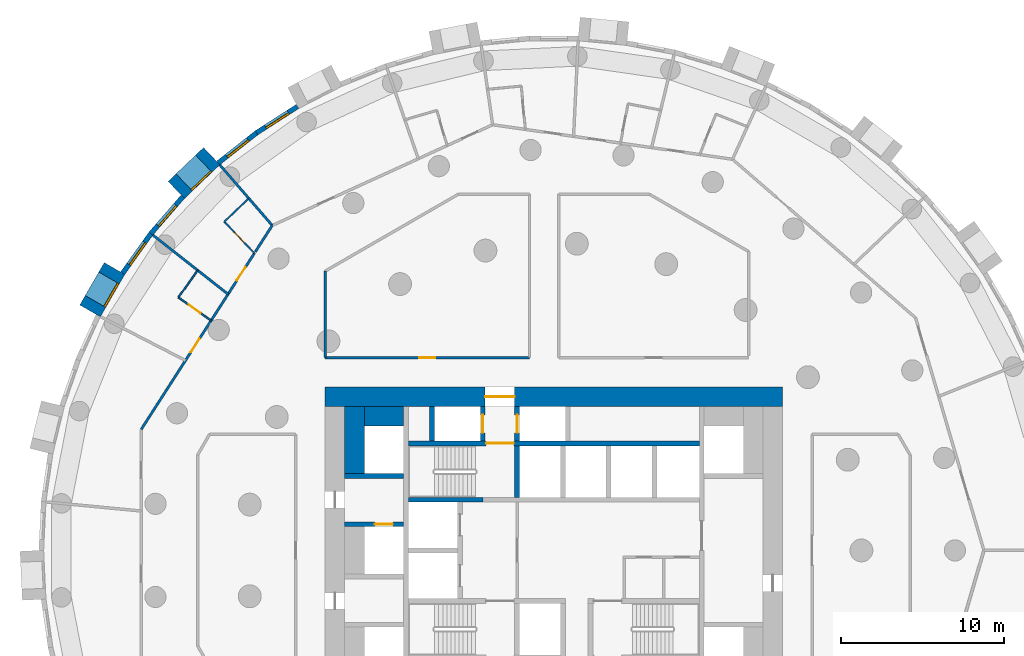
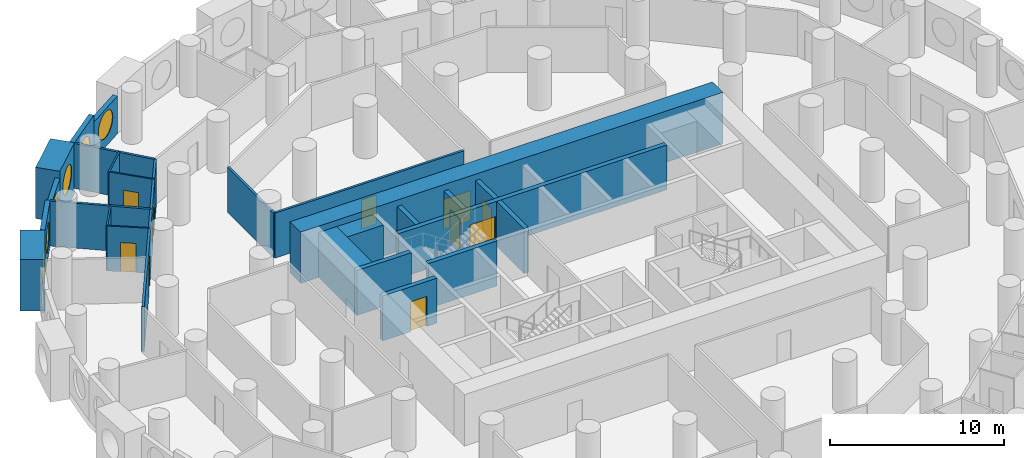
# One storey, part 7 of 11: 27 walls, 10 doors, 6 windows, 16 openings.
"""IFC4 building model written with IfcOpenShell, lengths in metres."""

from ifc_helpers import new_model, si_unit, direction, frame, frame_2d, origin, origin_2d, place, context, subcontext, project, spatial, rectangle, circle, extrude, material, layer, layer_set, type_object, element, fill, save


model = new_model("IFC4")

# Units and contexts
model_context = context("Model", 3, precision=1e-05, world=origin(), true_north=direction((0.0, 1.0)))
body_context = subcontext(model_context, "Body", "Model", "MODEL_VIEW")
ifc_project = project(units=[si_unit("LENGTHUNIT", "METRE"), si_unit("AREAUNIT", "SQUARE_METRE"), si_unit("VOLUMEUNIT", "CUBIC_METRE"), si_unit("PLANEANGLEUNIT", "RADIAN"), si_unit("MASSUNIT", "GRAM", prefix="KILO")], contexts=[model_context])

# Site, building, storey
site_placement = place(None, origin())
site = spatial("IfcSite", under=ifc_project, at=site_placement, CompositionType="ELEMENT")
building_placement = place(site_placement, origin())
building = spatial("IfcBuilding", under=site, at=building_placement, Name="Tracery Tower", CompositionType="ELEMENT")
storey_placement = place(building_placement, frame((0.0, 0.0, 96.60009765625)))
storey = spatial("IfcBuildingStorey", under=building, at=storey_placement, Name="L24", CompositionType="ELEMENT", Elevation=96.60009765625)

# Walls
ifc_material_1 = material(Name="Concrete C60/75", Category="concrete")
ifc_layer_1 = layer(ifc_material_1, 1.199951171875)
ifc_layer_set_1 = layer_set([ifc_layer_1], Name="Core strip wall 1200 C60")
wall_type_1 = type_object("IfcWallType", Name="Core strip wall 1200 C60", PredefinedType="SOLIDWALL", material=ifc_layer_set_1)
wall_1_placement = place(storey_placement, frame((-12.199951171875, 4.699951171875, 0.0), z_axis=(0.0, 0.0, 1.0), x_axis=(0.0, 1.0, 0.0)))
element("IfcWall", 1, at=wall_1_placement, inside=storey, type_object=wall_type_1, Name="L24 wing strip -1 4.55", PredefinedType="SOLIDWALL", context=body_context, shape_type="SweptSolid", body=[
    extrude(rectangle(XDim=4.10009765625, YDim=1.199951171875, at=frame_2d((2.050048828125, 0.0))), origin(), (0.0, 0.0, 1.0), 3.14990234375),
])
wall_2_placement = place(storey_placement, frame((-11.60009765625, 8.199951171875, 0.0), z_axis=(0.0, 0.0, 1.0), x_axis=(1.0, 0.0, 0.0)))
element("IfcWall", 2, at=wall_2_placement, inside=storey, type_object=wall_type_1, Name="L24 wing corner -1 +8.2", PredefinedType="SOLIDWALL", context=body_context, shape_type="SweptSolid", body=[
    extrude(rectangle(XDim=2.400146484375, YDim=1.199951171875, at=frame_2d((1.2001953125, 0.0))), origin(), (0.0, 0.0, 1.0), 3.14990234375),
])

# Wall, opening, door
ifc_material_2 = material(Name="Concrete C60/75", Category="concrete")
ifc_layer_2 = layer(ifc_material_2, 1.199951171875)
ifc_layer_set_2 = layer_set([ifc_layer_2], Name="Core wall 1200 C60")
wall_type_2 = type_object("IfcWallType", Name="Core wall 1200 C60", PredefinedType="SOLIDWALL", material=ifc_layer_set_2)
wall_3_placement = place(storey_placement, frame((-14.0, 9.39990234375, 0.0), z_axis=(0.0, 0.0, 1.0), x_axis=(1.0, 0.0, 0.0)))
wall_3 = element("IfcWall", 3, at=wall_3_placement, inside=storey, type_object=wall_type_2, Name="L24 outer N", PredefinedType="SOLIDWALL", context=body_context, shape_type="SweptSolid", body=[
    extrude(rectangle(XDim=28.0, YDim=1.199951171875, at=frame_2d((14.0, 0.0))), origin(), (0.0, 0.0, 1.0), 3.599853515625),
])
opening_1_placement = place(wall_3_placement, frame((9.800048828125, 0.0, 0.0)))
opening_1 = element("IfcOpeningElement", 4, at=opening_1_placement, cuts=wall_3, Name="Opening KD13", PredefinedType="OPENING", context=body_context, shape_type="SweptSolid", body=[
    extrude(rectangle(XDim=1.800048828125, YDim=2.10009765625, at=frame_2d((0.89990234375, 1.050048828125))), frame((0.0, 0.60009765625, 0.0), z_axis=(0.0, -1.0, 0.0), x_axis=(1.0, 0.0, 0.0)), (0.0, 0.0, 1.0), 1.199951171875),
])
ifc_material_3 = material(Name="Steel fire door", Category="steel")
door_type_1 = type_object("IfcDoorType", Name="Core exit door 1800 double", OperationType="NOTDEFINED", PredefinedType="DOOR", material=ifc_material_3)
door_1_placement = place(opening_1_placement, origin())
door_1 = element("IfcDoor", 5, at=door_1_placement, inside=storey, type_object=door_type_1, Name="Core exit door", OperationType="DOUBLE_DOOR_SINGLE_SWING", OverallHeight=2.10009765625, OverallWidth=1.800048828125, PredefinedType="DOOR", context=body_context, shape_type="SweptSolid", body=[
    extrude(rectangle(XDim=1.800048828125, YDim=2.10009765625, at=frame_2d((0.89990234375, 1.050048828125))), frame((0.0, 0.02490234375, 0.0), z_axis=(0.0, -1.0, 0.0), x_axis=(1.0, 0.0, 0.0)), (0.0, 0.0, 1.0), 0.050048828125),
])
fill(opening_1, door_1)

# Wall, opening, window
ifc_material_4 = material(Name="Precast concrete C50/60", Category="concrete")
ifc_layer_3 = layer(ifc_material_4, 1.449951171875)
ifc_layer_set_3 = layer_set([ifc_layer_3], Name="Deep-set bay unit 3000 x 3600, slab edge 450")
wall_type_3 = type_object("IfcWallType", Name="Deep-set bay unit 3000 x 3600, slab edge 450", PredefinedType="ELEMENTEDWALL", material=ifc_layer_set_3)
wall_4_placement = place(storey_placement, frame((-20.9375, 24.13232421875, -0.4501953125), z_axis=(0.0, 0.0, 1.0), x_axis=(-0.723712023899, -0.690102098579, 0.0)))
wall_4 = element("IfcWall", 6, at=wall_4_placement, inside=storey, type_object=wall_type_3, Name="Deep-set bay unit 25 at L24", PredefinedType="ELEMENTEDWALL", context=body_context, shape_type="SweptSolid", body=[
    extrude(rectangle(XDim=3.0, YDim=1.449951171875, at=frame_2d((1.5, 0.0))), origin(), (0.0, 0.0, 1.0), 3.60009765625),
])
opening_2_placement = place(wall_4_placement, frame((1.5, 0.0, 2.0)))
opening_2 = element("IfcOpeningElement", 7, at=opening_2_placement, cuts=wall_4, Name="Opening WN1", PredefinedType="OPENING", context=body_context, shape_type="SweptSolid", body=[
    extrude(circle(Radius=0.9000244140625, at=origin_2d()), frame((0.0, 0.73486328125, 0.0), z_axis=(0.0, -1.0, 0.0), x_axis=(1.0, 0.0, 0.0)), (0.0, 0.0, 1.0), 1.469970703125),
])
ifc_material_5 = material(Name="Aluminium frame with tinted double glazing", Category="aluminium")
window_type = type_object("IfcWindowType", Name="Round window 1800", PartitioningType="SINGLE_PANEL", PredefinedType="WINDOW", material=ifc_material_5)
window_1_placement = place(opening_2_placement, origin())
window_1 = element("IfcWindow", 8, at=window_1_placement, inside=storey, type_object=window_type, Name="Round window 25 at L24", OverallHeight=1.800048828125, OverallWidth=1.800048828125, PartitioningType="SINGLE_PANEL", PredefinedType="WINDOW", context=body_context, shape_type="SweptSolid", body=[
    extrude(circle(Radius=0.9000244140625, at=origin_2d()), frame((0.0, 0.69482421875, 0.0), z_axis=(0.0, -1.0, 0.0), x_axis=(1.0, 0.0, 0.0)), (0.0, 0.0, 1.0), 0.10009765625),
])
fill(opening_2, window_1)

wall_5_placement = place(storey_placement, frame((-26.88818359375, 17.256103515625, -0.4501953125), z_axis=(0.0, 0.0, 1.0), x_axis=(-0.499990139034, -0.866031096941, 0.0)))
wall_5 = element("IfcWall", 9, at=wall_5_placement, inside=storey, type_object=wall_type_3, Name="Deep-set bay unit 28 at L24", PredefinedType="ELEMENTEDWALL", context=body_context, shape_type="SweptSolid", body=[
    extrude(rectangle(XDim=3.0, YDim=1.449951171875, at=frame_2d((1.5, 0.0))), origin(), (0.0, 0.0, 1.0), 3.60009765625),
])
opening_3_placement = place(wall_5_placement, frame((1.5, 0.0, 2.0)))
opening_3 = element("IfcOpeningElement", 10, at=opening_3_placement, cuts=wall_5, Name="Opening WN1", PredefinedType="OPENING", context=body_context, shape_type="SweptSolid", body=[
    extrude(circle(Radius=0.9000244140625, at=origin_2d()), frame((0.0, 0.73486328125, 0.0), z_axis=(0.0, -1.0, 0.0), x_axis=(1.0, 0.0, 0.0)), (0.0, 0.0, 1.0), 1.469970703125),
])
window_2_placement = place(opening_3_placement, origin())
window_2 = element("IfcWindow", 11, at=window_2_placement, inside=storey, type_object=window_type, Name="Round window 28 at L24", OverallHeight=1.800048828125, OverallWidth=1.800048828125, PartitioningType="SINGLE_PANEL", PredefinedType="WINDOW", context=body_context, shape_type="SweptSolid", body=[
    extrude(circle(Radius=0.9000244140625, at=origin_2d()), frame((0.0, 0.69482421875, 0.0), z_axis=(0.0, -1.0, 0.0), x_axis=(1.0, 0.0, 0.0)), (0.0, 0.0, 1.0), 0.10009765625),
])
fill(opening_3, window_2)

ifc_material_6 = material(Name="Precast concrete C50/60", Category="concrete")
ifc_layer_4 = layer(ifc_material_6, 0.300048828125)
ifc_layer_set_4 = layer_set([ifc_layer_4], Name="Facade panel 3000 x 2650")
wall_type_4 = type_object("IfcWallType", Name="Facade panel 3000 x 2650", PredefinedType="SOLIDWALL", material=ifc_layer_set_4)
wall_6_placement = place(storey_placement, frame((-15.6923828125, 27.167724609375, 0.0), z_axis=(0.0, 0.0, 1.0), x_axis=(-0.841260995538, -0.54062920508, 0.0)))
wall_6 = element("IfcWall", 12, at=wall_6_placement, inside=storey, type_object=wall_type_4, Name="Facade panel 23 at L24", PredefinedType="SOLIDWALL", context=body_context, shape_type="SweptSolid", body=[
    extrude(rectangle(XDim=2.9794921875, YDim=0.300048828125, at=frame_2d((1.48974609375, 0.0))), origin(), (0.0, 0.0, 1.0), 2.64990234375),
])
opening_4_placement = place(wall_6_placement, frame((1.48974609375, 0.0, 1.5498046875)))
opening_4 = element("IfcOpeningElement", 13, at=opening_4_placement, cuts=wall_6, Name="Opening WN1", PredefinedType="OPENING", context=body_context, shape_type="SweptSolid", body=[
    extrude(circle(Radius=0.9000244140625, at=origin_2d()), frame((0.0, 0.159912109375, 0.0), z_axis=(0.0, -1.0, 0.0), x_axis=(1.0, 0.0, 0.0)), (0.0, 0.0, 1.0), 0.320068359375),
])
window_3_placement = place(opening_4_placement, origin())
window_3 = element("IfcWindow", 14, at=window_3_placement, inside=storey, type_object=window_type, Name="Round window 23 at L24", OverallHeight=1.800048828125, OverallWidth=1.800048828125, PartitioningType="SINGLE_PANEL", PredefinedType="WINDOW", context=body_context, shape_type="SweptSolid", body=[
    extrude(circle(Radius=0.9000244140625, at=origin_2d()), frame((0.0, 0.1201171875, 0.0), z_axis=(0.0, -1.0, 0.0), x_axis=(1.0, 0.0, 0.0)), (0.0, 0.0, 1.0), 0.10009765625),
])
fill(opening_4, window_3)

wall_7_placement = place(storey_placement, frame((-22.710693359375, 21.646240234375, 0.0), z_axis=(0.0, 0.0, 1.0), x_axis=(-0.654830712471, -0.755775587066, 0.0)))
wall_7 = element("IfcWall", 15, at=wall_7_placement, inside=storey, type_object=wall_type_4, Name="Facade panel 26 at L24", PredefinedType="SOLIDWALL", context=body_context, shape_type="SweptSolid", body=[
    extrude(rectangle(XDim=2.979736328125, YDim=0.300048828125, at=frame_2d((1.48974609375, 0.0))), origin(), (0.0, 0.0, 1.0), 2.64990234375),
])
opening_5_placement = place(wall_7_placement, frame((1.48974609375, 0.0, 1.5498046875)))
opening_5 = element("IfcOpeningElement", 16, at=opening_5_placement, cuts=wall_7, Name="Opening WN1", PredefinedType="OPENING", context=body_context, shape_type="SweptSolid", body=[
    extrude(circle(Radius=0.9000244140625, at=origin_2d()), frame((0.0, 0.159912109375, 0.0), z_axis=(0.0, -1.0, 0.0), x_axis=(1.0, 0.0, 0.0)), (0.0, 0.0, 1.0), 0.320068359375),
])
window_4_placement = place(opening_5_placement, origin())
window_4 = element("IfcWindow", 17, at=window_4_placement, inside=storey, type_object=window_type, Name="Round window 26 at L24", OverallHeight=1.800048828125, OverallWidth=1.800048828125, PartitioningType="SINGLE_PANEL", PredefinedType="WINDOW", context=body_context, shape_type="SweptSolid", body=[
    extrude(circle(Radius=0.9000244140625, at=origin_2d()), frame((0.0, 0.1201171875, 0.0), z_axis=(0.0, -1.0, 0.0), x_axis=(1.0, 0.0, 0.0)), (0.0, 0.0, 1.0), 0.10009765625),
])
fill(opening_5, window_4)

ifc_material_7 = material(Name="Precast concrete C50/60", Category="concrete")
ifc_layer_5 = layer(ifc_material_7, 0.300048828125)
ifc_layer_set_5 = layer_set([ifc_layer_5], Name="Facade panel 3000 x 3150")
wall_type_5 = type_object("IfcWallType", Name="Facade panel 3000 x 3150", PredefinedType="SOLIDWALL", material=ifc_layer_set_5)
wall_8_placement = place(storey_placement, frame((-18.198974609375, 25.556884765625, 0.0), z_axis=(0.0, 0.0, 1.0), x_axis=(-0.786053834673, -0.618158045322, 0.0)))
wall_8 = element("IfcWall", 18, at=wall_8_placement, inside=storey, type_object=wall_type_5, Name="Facade panel 24 at L24", PredefinedType="SOLIDWALL", context=body_context, shape_type="SweptSolid", body=[
    extrude(rectangle(XDim=2.9794921875, YDim=0.300048828125, at=frame_2d((1.48974609375, 0.0))), origin(), (0.0, 0.0, 1.0), 3.14990234375),
])
opening_6_placement = place(wall_8_placement, frame((1.48974609375, 0.0, 1.5498046875)))
opening_6 = element("IfcOpeningElement", 19, at=opening_6_placement, cuts=wall_8, Name="Opening WN1", PredefinedType="OPENING", context=body_context, shape_type="SweptSolid", body=[
    extrude(circle(Radius=0.9000244140625, at=origin_2d()), frame((0.0, 0.159912109375, 0.0), z_axis=(0.0, -1.0, 0.0), x_axis=(1.0, 0.0, 0.0)), (0.0, 0.0, 1.0), 0.320068359375),
])
window_5_placement = place(opening_6_placement, origin())
window_5 = element("IfcWindow", 20, at=window_5_placement, inside=storey, type_object=window_type, Name="Round window 24 at L24", OverallHeight=1.800048828125, OverallWidth=1.800048828125, PartitioningType="SINGLE_PANEL", PredefinedType="WINDOW", context=body_context, shape_type="SweptSolid", body=[
    extrude(circle(Radius=0.9000244140625, at=origin_2d()), frame((0.0, 0.1201171875, 0.0), z_axis=(0.0, -1.0, 0.0), x_axis=(1.0, 0.0, 0.0)), (0.0, 0.0, 1.0), 0.10009765625),
])
fill(opening_6, window_5)

wall_9_placement = place(storey_placement, frame((-24.661865234375, 19.394287109375, 0.0), z_axis=(0.0, 0.0, 1.0), x_axis=(-0.580113774115, -0.814535456, 0.0)))
wall_9 = element("IfcWall", 21, at=wall_9_placement, inside=storey, type_object=wall_type_5, Name="Facade panel 27 at L24", PredefinedType="SOLIDWALL", context=body_context, shape_type="SweptSolid", body=[
    extrude(rectangle(XDim=2.979736328125, YDim=0.300048828125, at=frame_2d((1.48974609375, 0.0))), origin(), (0.0, 0.0, 1.0), 3.14990234375),
])
opening_7_placement = place(wall_9_placement, frame((1.48974609375, 0.0, 1.5498046875)))
opening_7 = element("IfcOpeningElement", 22, at=opening_7_placement, cuts=wall_9, Name="Opening WN1", PredefinedType="OPENING", context=body_context, shape_type="SweptSolid", body=[
    extrude(circle(Radius=0.9000244140625, at=origin_2d()), frame((0.0, 0.159912109375, 0.0), z_axis=(0.0, -1.0, 0.0), x_axis=(1.0, 0.0, 0.0)), (0.0, 0.0, 1.0), 0.320068359375),
])
window_6_placement = place(opening_7_placement, origin())
window_6 = element("IfcWindow", 23, at=window_6_placement, inside=storey, type_object=window_type, Name="Round window 27 at L24", OverallHeight=1.800048828125, OverallWidth=1.800048828125, PartitioningType="SINGLE_PANEL", PredefinedType="WINDOW", context=body_context, shape_type="SweptSolid", body=[
    extrude(circle(Radius=0.9000244140625, at=origin_2d()), frame((0.0, 0.1201171875, 0.0), z_axis=(0.0, -1.0, 0.0), x_axis=(1.0, 0.0, 0.0)), (0.0, 0.0, 1.0), 0.10009765625),
])
fill(opening_7, window_6)

# Wall
ifc_material_8 = material(Name="Plasterboard on steel studs", Category="steel")
ifc_layer_6 = layer(ifc_material_8, 0.10009765625)
ifc_layer_set_6 = layer_set([ifc_layer_6], Name="Partition 100 wet wall")
wall_type_6 = type_object("IfcWallType", Name="Partition 100 wet wall", PredefinedType="PARTITIONING", material=ifc_layer_set_6)
wall_10_placement = place(storey_placement, frame((-20.1689453125, 20.117919921875, 0.0), z_axis=(0.0, 0.0, 1.0), x_axis=(0.723537557066, 0.690285016145, 0.0)))
element("IfcWall", 24, at=wall_10_placement, inside=storey, type_object=wall_type_6, Name="Wet wall RA7-063", PredefinedType="PARTITIONING", context=body_context, shape_type="SweptSolid", body=[
    extrude(rectangle(XDim=2.070556640625, YDim=0.10009765625, at=frame_2d((1.03515625, 0.0))), origin(), (0.0, 0.0, 1.0), 3.14990234375),
])

# Wall, opening, door
wall_11_placement = place(storey_placement, frame((-20.1689453125, 20.117919921875, 0.0), z_axis=(0.0, 0.0, 1.0), x_axis=(0.690011756227, -0.723798159896, 0.0)))
wall_11 = element("IfcWall", 25, at=wall_11_placement, inside=storey, type_object=wall_type_6, Name="Wet wall RA7-064", PredefinedType="PARTITIONING", context=body_context, shape_type="SweptSolid", body=[
    extrude(rectangle(XDim=2.66650390625, YDim=0.10009765625, at=frame_2d((1.333251953125, 0.0))), origin(), (0.0, 0.0, 1.0), 3.14990234375),
])
opening_8_placement = place(wall_11_placement, frame((0.883056640625, 0.0, 0.0)))
opening_8 = element("IfcOpeningElement", 26, at=opening_8_placement, cuts=wall_11, Name="Opening RA7-19", PredefinedType="OPENING", context=body_context, shape_type="SweptSolid", body=[
    extrude(rectangle(XDim=0.89990234375, YDim=2.0400390625, at=frame_2d((0.449951171875, 1.02001953125))), frame((0.0, 0.050048828125, 0.0), z_axis=(0.0, -1.0, 0.0), x_axis=(1.0, 0.0, 0.0)), (0.0, 0.0, 1.0), 0.10009765625),
])
ifc_material_9 = material(Name="Timber door leaf", Category="wood")
door_type_2 = type_object("IfcDoorType", Name="Door en-suite 900", OperationType="NOTDEFINED", PredefinedType="DOOR", material=ifc_material_9)
door_2_placement = place(opening_8_placement, origin())
door_2 = element("IfcDoor", 27, at=door_2_placement, inside=storey, type_object=door_type_2, Name="En-suite door RA7-19", OperationType="SINGLE_SWING_LEFT", OverallHeight=2.0400390625, OverallWidth=0.89990234375, PredefinedType="DOOR", context=body_context, shape_type="SweptSolid", body=[
    extrude(rectangle(XDim=0.89990234375, YDim=2.0400390625, at=frame_2d((0.449951171875, 1.02001953125))), frame((0.0, 0.02490234375, 0.0), z_axis=(0.0, -1.0, 0.0), x_axis=(1.0, 0.0, 0.0)), (0.0, 0.0, 1.0), 0.050048828125),
])
fill(opening_8, door_2)

# Wall
wall_12_placement = place(storey_placement, frame((-22.97802734375, 15.486083984375, 0.0), z_axis=(0.0, 0.0, 1.0), x_axis=(0.580283748447, 0.814414373208, 0.0)))
element("IfcWall", 28, at=wall_12_placement, inside=storey, type_object=wall_type_6, Name="Wet wall RA7-066", PredefinedType="PARTITIONING", context=body_context, shape_type="SweptSolid", body=[
    extrude(rectangle(XDim=2.033447265625, YDim=0.10009765625, at=frame_2d((1.0166015625, 0.0))), origin(), (0.0, 0.0, 1.0), 3.14990234375),
])

# Wall, opening, door
wall_13_placement = place(storey_placement, frame((-22.97802734375, 15.486083984375, 0.0), z_axis=(0.0, 0.0, 1.0), x_axis=(0.814519517834, -0.580136152181, 0.0)))
wall_13 = element("IfcWall", 29, at=wall_13_placement, inside=storey, type_object=wall_type_6, Name="Wet wall RA7-067", PredefinedType="PARTITIONING", context=body_context, shape_type="SweptSolid", body=[
    extrude(rectangle(XDim=2.453125, YDim=0.10009765625, at=frame_2d((1.2265625, 0.0))), origin(), (0.0, 0.0, 1.0), 3.14990234375),
])
opening_9_placement = place(wall_13_placement, frame((0.77587890625, 0.0, 0.0)))
opening_9 = element("IfcOpeningElement", 30, at=opening_9_placement, cuts=wall_13, Name="Opening RA7-21", PredefinedType="OPENING", context=body_context, shape_type="SweptSolid", body=[
    extrude(rectangle(XDim=0.89990234375, YDim=2.0400390625, at=frame_2d((0.449951171875, 1.02001953125))), frame((0.0, 0.050048828125, 0.0), z_axis=(0.0, -1.0, 0.0), x_axis=(1.0, 0.0, 0.0)), (0.0, 0.0, 1.0), 0.10009765625),
])
door_3_placement = place(opening_9_placement, origin())
door_3 = element("IfcDoor", 31, at=door_3_placement, inside=storey, type_object=door_type_2, Name="En-suite door RA7-21", OperationType="SINGLE_SWING_LEFT", OverallHeight=2.0400390625, OverallWidth=0.89990234375, PredefinedType="DOOR", context=body_context, shape_type="SweptSolid", body=[
    extrude(rectangle(XDim=0.89990234375, YDim=2.0400390625, at=frame_2d((0.449951171875, 1.02001953125))), frame((0.0, 0.02490234375, 0.0), z_axis=(0.0, -1.0, 0.0), x_axis=(1.0, 0.0, 0.0)), (0.0, 0.0, 1.0), 0.050048828125),
])
fill(opening_9, door_3)

# Walls
ifc_material_10 = material(Name="Plasterboard on steel studs", Category="steel")
ifc_layer_7 = layer(ifc_material_10, 0.14990234375)
ifc_layer_set_7 = layer_set([ifc_layer_7], Name="Partition 150 acoustic unit wall")
wall_type_7 = type_object("IfcWallType", Name="Partition 150 acoustic unit wall", PredefinedType="PARTITIONING", material=ifc_layer_set_7)
wall_14_placement = place(storey_placement, frame((-20.447998046875, 23.597900390625, 0.0), z_axis=(0.0, 0.0, 1.0), x_axis=(0.654900226821, -0.755715351776, 0.0)))
element("IfcWall", 32, at=wall_14_placement, inside=storey, type_object=wall_type_7, Name="Unit wall RA7-062", PredefinedType="PARTITIONING", context=body_context, shape_type="SweptSolid", body=[
    extrude(rectangle(XDim=4.90625, YDim=0.14990234375, at=frame_2d((2.453125, 0.0))), origin(), (0.0, 0.0, 1.0), 3.14990234375),
])
wall_15_placement = place(storey_placement, frame((-24.5439453125, 19.302001953125, 0.0), z_axis=(0.0, 0.0, 1.0), x_axis=(0.786034767432, -0.618182290581, 0.0)))
element("IfcWall", 33, at=wall_15_placement, inside=storey, type_object=wall_type_7, Name="Unit wall RA7-065", PredefinedType="PARTITIONING", context=body_context, shape_type="SweptSolid", body=[
    extrude(rectangle(XDim=5.857177734375, YDim=0.14990234375, at=frame_2d((2.9287109375, 0.0))), origin(), (0.0, 0.0, 1.0), 3.14990234375),
])

# Wall, opening, door
ifc_material_11 = material(Name="Plasterboard on steel studs", Category="steel")
ifc_layer_8 = layer(ifc_material_11, 0.14990234375)
ifc_layer_set_8 = layer_set([ifc_layer_8], Name="Partition 150 corridor wall")
wall_type_8 = type_object("IfcWallType", Name="Partition 150 corridor wall", PredefinedType="PARTITIONING", material=ifc_layer_set_8)
wall_16_placement = place(storey_placement, frame((-14.00390625, 11.800048828125, 0.0), z_axis=(0.0, 0.0, 1.0), x_axis=(1.0, 0.0, 0.0)))
wall_16 = element("IfcWall", 34, at=wall_16_placement, inside=storey, type_object=wall_type_8, Name="Corridor wall RA7-001", PredefinedType="PARTITIONING", context=body_context, shape_type="SweptSolid", body=[
    extrude(rectangle(XDim=12.517822265625, YDim=0.14990234375, at=frame_2d((6.2587890625, 0.0))), origin(), (0.0, 0.0, 1.0), 3.14990234375),
])
opening_10_placement = place(wall_16_placement, frame((5.759033203125, 0.0, 0.0)))
opening_10 = element("IfcOpeningElement", 35, at=opening_10_placement, cuts=wall_16, Name="Opening RA7-01", PredefinedType="OPENING", context=body_context, shape_type="SweptSolid", body=[
    extrude(rectangle(XDim=1.0, YDim=2.0400390625, at=frame_2d((0.5, 1.02001953125))), frame((0.0, 0.074951171875, 0.0), z_axis=(0.0, -1.0, 0.0), x_axis=(1.0, 0.0, 0.0)), (0.0, 0.0, 1.0), 0.14990234375),
])
ifc_material_12 = material(Name="Timber door leaf", Category="wood")
door_type_3 = type_object("IfcDoorType", Name="Door communal room 1000", OperationType="NOTDEFINED", PredefinedType="DOOR", material=ifc_material_12)
door_4_placement = place(opening_10_placement, origin())
door_4 = element("IfcDoor", 36, at=door_4_placement, inside=storey, type_object=door_type_3, Name="Communal room door RA7-01", OperationType="SINGLE_SWING_RIGHT", OverallHeight=2.0400390625, OverallWidth=1.0, PredefinedType="DOOR", context=body_context, shape_type="SweptSolid", body=[
    extrude(rectangle(XDim=1.0, YDim=2.0400390625, at=frame_2d((0.5, 1.02001953125))), frame((0.0, 0.02490234375, 0.0), z_axis=(0.0, -1.0, 0.0), x_axis=(1.0, 0.0, 0.0)), (0.0, 0.0, 1.0), 0.050048828125),
])
fill(opening_10, door_4)

# Walls
wall_17_placement = place(storey_placement, frame((-14.0, 11.800048828125, 0.0), z_axis=(0.0, 0.0, 1.0), x_axis=(0.0, 1.0, 0.0)))
element("IfcWall", 37, at=wall_17_placement, inside=storey, type_object=wall_type_8, Name="Corridor wall RA7-019", PredefinedType="PARTITIONING", context=body_context, shape_type="SweptSolid", body=[
    extrude(rectangle(XDim=5.2919921875, YDim=0.14990234375, at=frame_2d((2.64599609375, 0.0))), origin(), (0.0, 0.0, 1.0), 3.14990234375),
])
wall_18_placement = place(storey_placement, frame((-18.27392578125, 18.27392578125, 0.0), z_axis=(0.0, 0.0, 1.0), x_axis=(0.540751168176, 0.841182604502, 0.0)))
element("IfcWall", 38, at=wall_18_placement, inside=storey, type_object=wall_type_8, Name="Corridor wall RA7-026", PredefinedType="PARTITIONING", context=body_context, shape_type="SweptSolid", body=[
    extrude(rectangle(XDim=1.921142578125, YDim=0.14990234375, at=frame_2d((0.96044921875, 0.0))), origin(), (0.0, 0.0, 1.0), 3.14990234375),
])

# Wall, openings, doors
wall_19_placement = place(storey_placement, frame((-25.2509765625, 7.413818359375, 0.0), z_axis=(0.0, 0.0, 1.0), x_axis=(0.540498462047, 0.84134500208, 0.0)))
wall_19 = element("IfcWall", 39, at=wall_19_placement, inside=storey, type_object=wall_type_8, Name="Corridor wall RA7-033", PredefinedType="PARTITIONING", context=body_context, shape_type="SweptSolid", body=[
    extrude(rectangle(XDim=12.810546875, YDim=0.14990234375, at=frame_2d((6.4052734375, 0.0))), origin(), (0.0, 0.0, 1.0), 3.14990234375),
])
opening_11_placement = place(wall_19_placement, frame((10.816650390625, 0.0, 0.0)))
opening_11 = element("IfcOpeningElement", 40, at=opening_11_placement, cuts=wall_19, Name="Opening RA7-20", PredefinedType="OPENING", context=body_context, shape_type="SweptSolid", body=[
    extrude(rectangle(XDim=1.0, YDim=2.10009765625, at=frame_2d((0.5, 1.050048828125))), frame((0.0, 0.074951171875, 0.0), z_axis=(0.0, -1.0, 0.0), x_axis=(1.0, 0.0, 0.0)), (0.0, 0.0, 1.0), 0.14990234375),
])
opening_12_placement = place(wall_19_placement, frame((5.602783203125, 0.0, 0.0)))
opening_12 = element("IfcOpeningElement", 41, at=opening_12_placement, cuts=wall_19, Name="Opening RA7-22", PredefinedType="OPENING", context=body_context, shape_type="SweptSolid", body=[
    extrude(rectangle(XDim=1.0, YDim=2.10009765625, at=frame_2d((0.5, 1.050048828125))), frame((0.0, 0.074951171875, 0.0), z_axis=(0.0, -1.0, 0.0), x_axis=(1.0, 0.0, 0.0)), (0.0, 0.0, 1.0), 0.14990234375),
])
ifc_material_13 = material(Name="Timber door leaf", Category="wood")
door_type_4 = type_object("IfcDoorType", Name="Door unit entrance 1000", OperationType="NOTDEFINED", PredefinedType="DOOR", material=ifc_material_13)
door_5_placement = place(opening_11_placement, origin())
door_5 = element("IfcDoor", 42, at=door_5_placement, inside=storey, type_object=door_type_4, Name="Unit entrance door RA7-20", OperationType="SINGLE_SWING_LEFT", OverallHeight=2.10009765625, OverallWidth=1.0, PredefinedType="DOOR", context=body_context, shape_type="SweptSolid", body=[
    extrude(rectangle(XDim=1.0, YDim=2.10009765625, at=frame_2d((0.5, 1.050048828125))), frame((0.0, 0.02490234375, 0.0), z_axis=(0.0, -1.0, 0.0), x_axis=(1.0, 0.0, 0.0)), (0.0, 0.0, 1.0), 0.050048828125),
])
fill(opening_11, door_5)
door_6_placement = place(opening_12_placement, origin())
door_6 = element("IfcDoor", 43, at=door_6_placement, inside=storey, type_object=door_type_4, Name="Unit entrance door RA7-22", OperationType="SINGLE_SWING_LEFT", OverallHeight=2.10009765625, OverallWidth=1.0, PredefinedType="DOOR", context=body_context, shape_type="SweptSolid", body=[
    extrude(rectangle(XDim=1.0, YDim=2.10009765625, at=frame_2d((0.5, 1.050048828125))), frame((0.0, 0.02490234375, 0.0), z_axis=(0.0, -1.0, 0.0), x_axis=(1.0, 0.0, 0.0)), (0.0, 0.0, 1.0), 0.050048828125),
])
fill(opening_12, door_6)

# Wall
ifc_material_14 = material(Name="Concrete C60/75", Category="concrete")
ifc_layer_9 = layer(ifc_material_14, 0.300048828125)
ifc_layer_set_9 = layer_set([ifc_layer_9], Name="Shaft wall 300 C60")
wall_type_9 = type_object("IfcWallType", Name="Shaft wall 300 C60", PredefinedType="SOLIDWALL", material=ifc_layer_set_9)
wall_20_placement = place(storey_placement, frame((-7.449951171875, 6.699951171875, 0.0), z_axis=(0.0, 0.0, 1.0), x_axis=(0.0, 1.0, 0.0)))
element("IfcWall", 44, at=wall_20_placement, inside=storey, type_object=wall_type_9, Name="L24 LR sep -7.45", PredefinedType="SOLIDWALL", context=body_context, shape_type="SweptSolid", body=[
    extrude(rectangle(XDim=2.10009765625, YDim=0.300048828125, at=frame_2d((1.050048828125, 0.0))), origin(), (0.0, 0.0, 1.0), 3.14990234375),
])

# Wall, opening, door
wall_21_placement = place(storey_placement, frame((-4.35009765625, 6.699951171875, 0.0), z_axis=(0.0, 0.0, 1.0), x_axis=(0.0, 1.0, 0.0)))
wall_21 = element("IfcWall", 45, at=wall_21_placement, inside=storey, type_object=wall_type_9, Name="L24 LR sep -4.35", PredefinedType="SOLIDWALL", context=body_context, shape_type="SweptSolid", body=[
    extrude(rectangle(XDim=2.10009765625, YDim=0.300048828125, at=frame_2d((1.050048828125, 0.0))), origin(), (0.0, 0.0, 1.0), 3.14990234375),
])
opening_13_placement = place(wall_21_placement, frame((0.5, 0.0, 0.0)))
opening_13 = element("IfcOpeningElement", 46, at=opening_13_placement, cuts=wall_21, Name="Opening KD50", PredefinedType="OPENING", context=body_context, shape_type="SweptSolid", body=[
    extrude(rectangle(XDim=1.10009765625, YDim=2.10009765625, at=frame_2d((0.550048828125, 1.050048828125))), frame((0.0, 0.14990234375, 0.0), z_axis=(0.0, -1.0, 0.0), x_axis=(1.0, 0.0, 0.0)), (0.0, 0.0, 1.0), 0.300048828125),
])
ifc_material_15 = material(Name="Steel fire door", Category="steel")
door_type_5 = type_object("IfcDoorType", Name="Landing door 1100", OperationType="NOTDEFINED", PredefinedType="DOOR", material=ifc_material_15)
door_7_placement = place(opening_13_placement, origin())
door_7 = element("IfcDoor", 47, at=door_7_placement, inside=storey, type_object=door_type_5, Name="Landing door LR3", OperationType="SLIDING_TO_RIGHT", OverallHeight=2.10009765625, OverallWidth=1.10009765625, PredefinedType="DOOR", context=body_context, shape_type="SweptSolid", body=[
    extrude(rectangle(XDim=1.10009765625, YDim=2.10009765625, at=frame_2d((0.550048828125, 1.050048828125))), frame((0.0, 0.02490234375, 0.0), z_axis=(0.0, -1.0, 0.0), x_axis=(1.0, 0.0, 0.0)), (0.0, 0.0, 1.0), 0.050048828125),
])
fill(opening_13, door_7)

# Wall
wall_22_placement = place(storey_placement, frame((-12.800048828125, 4.550048828125, 0.0), z_axis=(0.0, 0.0, 1.0), x_axis=(1.0, 0.0, 0.0)))
element("IfcWall", 48, at=wall_22_placement, inside=storey, type_object=wall_type_9, Name="L24 wing shaft wall -1 +4.55", PredefinedType="SOLIDWALL", context=body_context, shape_type="SweptSolid", body=[
    extrude(rectangle(XDim=3.60009765625, YDim=0.300048828125, at=frame_2d((1.800048828125, 0.0))), origin(), (0.0, 0.0, 1.0), 3.14990234375),
])

# Wall, opening, door
wall_23_placement = place(storey_placement, frame((-12.800048828125, 1.60009765625, 0.0), z_axis=(0.0, 0.0, 1.0), x_axis=(1.0, 0.0, 0.0)))
wall_23 = element("IfcWall", 49, at=wall_23_placement, inside=storey, type_object=wall_type_9, Name="L24 wing shaft wall -1 +1.60", PredefinedType="SOLIDWALL", context=body_context, shape_type="SweptSolid", body=[
    extrude(rectangle(XDim=3.60009765625, YDim=0.300048828125, at=frame_2d((1.800048828125, 0.0))), origin(), (0.0, 0.0, 1.0), 3.14990234375),
])
opening_14_placement = place(wall_23_placement, frame((1.85009765625, 0.0, 0.0)))
opening_14 = element("IfcOpeningElement", 50, at=opening_14_placement, cuts=wall_23, Name="Opening KD50", PredefinedType="OPENING", context=body_context, shape_type="SweptSolid", body=[
    extrude(rectangle(XDim=1.10009765625, YDim=2.10009765625, at=frame_2d((0.550048828125, 1.050048828125))), frame((0.0, 0.14990234375, 0.0), z_axis=(0.0, -1.0, 0.0), x_axis=(1.0, 0.0, 0.0)), (0.0, 0.0, 1.0), 0.300048828125),
])
door_8_placement = place(opening_14_placement, origin())
door_8 = element("IfcDoor", 51, at=door_8_placement, inside=storey, type_object=door_type_5, Name="Landing door LR1", OperationType="SLIDING_TO_RIGHT", OverallHeight=2.10009765625, OverallWidth=1.10009765625, PredefinedType="DOOR", context=body_context, shape_type="SweptSolid", body=[
    extrude(rectangle(XDim=1.10009765625, YDim=2.10009765625, at=frame_2d((0.550048828125, 1.050048828125))), frame((0.0, 0.02490234375, 0.0), z_axis=(0.0, -1.0, 0.0), x_axis=(1.0, 0.0, 0.0)), (0.0, 0.0, 1.0), 0.050048828125),
])
fill(opening_14, door_8)

# Walls
ifc_material_16 = material(Name="Concrete C60/75", Category="concrete")
ifc_layer_10 = layer(ifc_material_16, 0.300048828125)
ifc_layer_set_10 = layer_set([ifc_layer_10], Name="Stair wall 300 C60")
wall_type_10 = type_object("IfcWallType", Name="Stair wall 300 C60", PredefinedType="SOLIDWALL", material=ifc_layer_set_10)
wall_24_placement = place(storey_placement, frame((-8.89990234375, 3.10009765625, 0.0), z_axis=(0.0, 0.0, 1.0), x_axis=(1.0, 0.0, 0.0)))
element("IfcWall", 52, at=wall_24_placement, inside=storey, type_object=wall_type_10, Name="L24 row N W", PredefinedType="SOLIDWALL", context=body_context, shape_type="SweptSolid", body=[
    extrude(rectangle(XDim=4.5498046875, YDim=0.300048828125, at=frame_2d((2.27490234375, 0.0))), origin(), (0.0, 0.0, 1.0), 3.14990234375),
])
wall_25_placement = place(storey_placement, frame((-2.25, 3.25, 0.0), z_axis=(0.0, 0.0, 1.0), x_axis=(0.0, 1.0, 0.0)))
element("IfcWall", 53, at=wall_25_placement, inside=storey, type_object=wall_type_10, Name="L24 ST3 E", PredefinedType="SOLIDWALL", context=body_context, shape_type="SweptSolid", body=[
    extrude(rectangle(XDim=3.14990234375, YDim=0.300048828125, at=frame_2d((1.574951171875, 0.0))), origin(), (0.0, 0.0, 1.0), 3.14990234375),
])

# Wall, opening, door
wall_26_placement = place(storey_placement, frame((-8.89990234375, 6.550048828125, 0.0), z_axis=(0.0, 0.0, 1.0), x_axis=(1.0, 0.0, 0.0)))
wall_26 = element("IfcWall", 54, at=wall_26_placement, inside=storey, type_object=wall_type_10, Name="L24 F N", PredefinedType="SOLIDWALL", context=body_context, shape_type="SweptSolid", body=[
    extrude(rectangle(XDim=17.7998046875, YDim=0.300048828125, at=frame_2d((8.89990234375, 0.0))), origin(), (0.0, 0.0, 1.0), 3.14990234375),
])
opening_15_placement = place(wall_26_placement, frame((4.75, 0.0, 0.0)))
opening_15 = element("IfcOpeningElement", 55, at=opening_15_placement, cuts=wall_26, Name="Opening KD3", PredefinedType="OPENING", context=body_context, shape_type="SweptSolid", body=[
    extrude(rectangle(XDim=1.699951171875, YDim=2.10009765625, at=frame_2d((0.85009765625, 1.050048828125))), frame((0.0, 0.14990234375, 0.0), z_axis=(0.0, -1.0, 0.0), x_axis=(1.0, 0.0, 0.0)), (0.0, 0.0, 1.0), 0.300048828125),
])
ifc_material_17 = material(Name="Steel fire door", Category="steel")
door_type_6 = type_object("IfcDoorType", Name="Core stair door 1700 double", OperationType="NOTDEFINED", PredefinedType="DOOR", material=ifc_material_17)
door_9_placement = place(opening_15_placement, origin())
door_9 = element("IfcDoor", 56, at=door_9_placement, inside=storey, type_object=door_type_6, Name="Stair door ST3 N", OperationType="DOUBLE_DOOR_SINGLE_SWING", OverallHeight=2.10009765625, OverallWidth=1.699951171875, PredefinedType="DOOR", context=body_context, shape_type="SweptSolid", body=[
    extrude(rectangle(XDim=1.699951171875, YDim=2.10009765625, at=frame_2d((0.85009765625, 1.050048828125))), frame((0.0, 0.02490234375, 0.0), z_axis=(0.0, -1.0, 0.0), x_axis=(1.0, 0.0, 0.0)), (0.0, 0.0, 1.0), 0.050048828125),
])
fill(opening_15, door_9)

wall_27_placement = place(storey_placement, frame((-2.25, 6.699951171875, 0.0), z_axis=(0.0, 0.0, 1.0), x_axis=(0.0, 1.0, 0.0)))
wall_27 = element("IfcWall", 57, at=wall_27_placement, inside=storey, type_object=wall_type_10, Name="L24 ST3 E out", PredefinedType="SOLIDWALL", context=body_context, shape_type="SweptSolid", body=[
    extrude(rectangle(XDim=2.10009765625, YDim=0.300048828125, at=frame_2d((1.050048828125, 0.0))), origin(), (0.0, 0.0, 1.0), 3.14990234375),
])
opening_16_placement = place(wall_27_placement, frame((0.5, 0.0, 0.0)))
opening_16 = element("IfcOpeningElement", 58, at=opening_16_placement, cuts=wall_27, Name="Opening KD49", PredefinedType="OPENING", context=body_context, shape_type="SweptSolid", body=[
    extrude(rectangle(XDim=1.10009765625, YDim=2.10009765625, at=frame_2d((0.550048828125, 1.050048828125))), frame((0.0, 0.14990234375, 0.0), z_axis=(0.0, -1.0, 0.0), x_axis=(1.0, 0.0, 0.0)), (0.0, 0.0, 1.0), 0.300048828125),
])
door_10_placement = place(opening_16_placement, origin())
door_10 = element("IfcDoor", 59, at=door_10_placement, inside=storey, type_object=door_type_5, Name="Landing door LR2", OperationType="SLIDING_TO_LEFT", OverallHeight=2.10009765625, OverallWidth=1.10009765625, PredefinedType="DOOR", context=body_context, shape_type="SweptSolid", body=[
    extrude(rectangle(XDim=1.10009765625, YDim=2.10009765625, at=frame_2d((0.550048828125, 1.050048828125))), frame((0.0, 0.02490234375, 0.0), z_axis=(0.0, -1.0, 0.0), x_axis=(1.0, 0.0, 0.0)), (0.0, 0.0, 1.0), 0.050048828125),
])
fill(opening_16, door_10)

save(model, "model.ifc")
